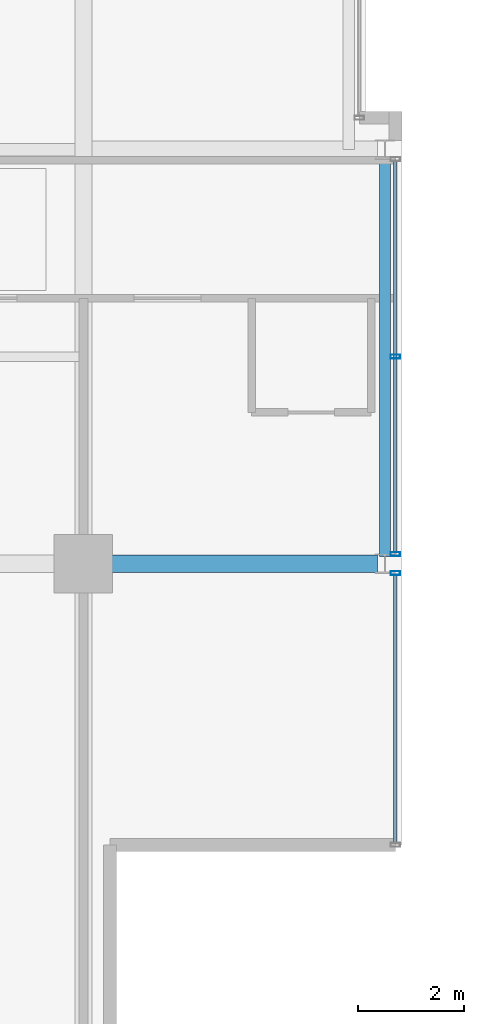
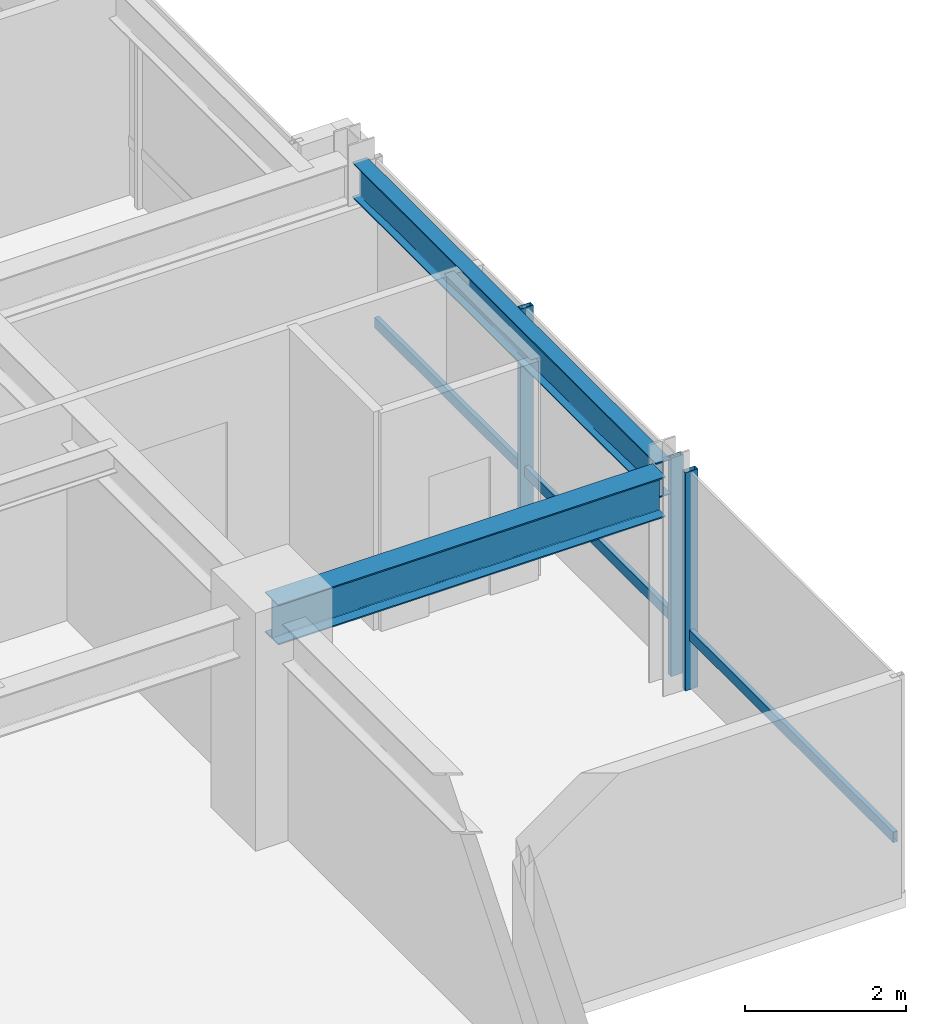
# One storey, part 15 of 34: 5 members, 2 beams, 2 elements without a shape of their own.
"""IFC4 building model written with IfcOpenShell, lengths in metres."""

from ifc_helpers import new_model, si_unit, direction, frame, origin, origin_2d, place, context, subcontext, project, spatial, hollow_rectangle, i_section, extrude, material, layer, layer_set, material_profile, profile_set, type_object, element, aggregate, save


model = new_model("IFC4")

# Units and contexts
model_context = context("Model", 3, precision=1e-05, world=origin(), true_north=direction((0.0, 1.0)))
body_context = subcontext(model_context, "Body", "Model", "MODEL_VIEW")
ifc_project = project(units=[si_unit("LENGTHUNIT", "METRE"), si_unit("AREAUNIT", "SQUARE_METRE"), si_unit("VOLUMEUNIT", "CUBIC_METRE"), si_unit("PLANEANGLEUNIT", "RADIAN"), si_unit("MASSUNIT", "GRAM", prefix="KILO")], contexts=[model_context])

# Site, building, storey
site_placement = place(None, origin())
site = spatial("IfcSite", under=ifc_project, at=site_placement, CompositionType="ELEMENT")
building_placement = place(site_placement, origin())
building = spatial("IfcBuilding", under=site, at=building_placement, Name="Drelvath Grand Hotel", CompositionType="ELEMENT")
storey_placement = place(building_placement, frame((0.0, 0.0, 251.89990234375)))
storey = spatial("IfcBuildingStorey", under=building, at=storey_placement, Name="L66", CompositionType="ELEMENT", Elevation=251.89990234375)

# Curtain wall, member
ifc_material_1 = material(Name="Platinum-Mist Anodised Aluminium Frame", Category="aluminium")
ifc_layer = layer(ifc_material_1, 0.199951171875)
ifc_layer_set = layer_set([ifc_layer], Name="Platinum-Mist Anodised Aluminium Frame")
curtain_wall_type = type_object("IfcCurtainWallType", Name="Stick Curtain Wall CW-05 Platinum Mist High-Rise", PredefinedType="NOTDEFINED", material=ifc_layer_set)
curtain_wall_1_placement = place(storey_placement, origin())
curtain_wall_1 = element("IfcCurtainWall", 1, at=curtain_wall_1_placement, inside=storey, type_object=curtain_wall_type, Name="L66 CW-05 Curtain Wall CW05-L66-ES1", PredefinedType="NOTDEFINED")
ifc_material_profile_1 = material_profile(ifc_material_1, hollow_rectangle(XDim=0.06494140625, YDim=0.159912109375, WallThickness=0.00390625, at=origin_2d()), Name="HSS160X65X4")
ifc_profile_set_1 = profile_set([ifc_material_profile_1], Name="Platinum-Mist Anodised Aluminium Frame")
member_type_1 = type_object("IfcMemberType", Name="Curtain Wall Horizontal Transom CW-05 HSS160X65X4", PredefinedType="USERDEFINED", material=ifc_profile_set_1)
member_1_placement = place(storey_placement, frame((22.080078125, 10.581787109375, 0.8251953125), z_axis=(0.0, -1.0, 0.0), x_axis=(1.0, 0.0, 0.0)))
member_1 = element("IfcMember", 2, at=member_1_placement, type_object=member_type_1, Name="CW05-L66-ES1 Sill Transom", ObjectType="TRANSOM", PredefinedType="USERDEFINED", context=body_context, shape_type="SweptSolid", body=[
    extrude(hollow_rectangle(XDim=0.06494140625, YDim=0.159912109375, WallThickness=0.00390625, at=origin_2d()), origin(), (0.0, 0.0, 1.0), 5.041748046875),
])

curtain_wall_2_placement = place(storey_placement, origin())
curtain_wall_2 = element("IfcCurtainWall", 3, at=curtain_wall_2_placement, inside=storey, type_object=curtain_wall_type, Name="L66 CW-05 Curtain Wall CW05-L66-ES2", PredefinedType="NOTDEFINED")
member_2_placement = place(storey_placement, frame((22.080078125, 18.3818359375, 0.8251953125), z_axis=(0.0, -1.0, 0.0), x_axis=(1.0, 0.0, 0.0)))
member_2 = element("IfcMember", 4, at=member_2_placement, type_object=member_type_1, Name="CW05-L66-ES2 Sill Transom", ObjectType="TRANSOM", PredefinedType="USERDEFINED", context=body_context, shape_type="SweptSolid", body=[
    extrude(hollow_rectangle(XDim=0.06494140625, YDim=0.159912109375, WallThickness=0.00390625, at=origin_2d()), origin(), (0.0, 0.0, 1.0), 7.363525390625),
])

# Member
ifc_material_profile_2 = material_profile(ifc_material_1, hollow_rectangle(XDim=0.074951171875, YDim=0.179931640625, WallThickness=0.0048828125, at=origin_2d()), Name="HSS180X75X5")
ifc_profile_set_2 = profile_set([ifc_material_profile_2], Name="Platinum-Mist Anodised Aluminium Frame")
member_type_2 = type_object("IfcMemberType", Name="Curtain Wall Vertical Mullion CW-05 HSS180X75X5", PredefinedType="MULLION", material=ifc_profile_set_2)
member_3_placement = place(storey_placement, frame((22.080078125, 10.621826171875, 0.0), z_axis=(0.0, 0.0, 1.0), x_axis=(0.0, 1.0, 0.0)))
member_3 = element("IfcMember", 5, at=member_3_placement, type_object=member_type_2, Name="CW05-L66-ES1 Mullion 1", PredefinedType="MULLION", context=body_context, shape_type="SweptSolid", body=[
    extrude(hollow_rectangle(XDim=0.074951171875, YDim=0.179931640625, WallThickness=0.0048828125, at=origin_2d()), origin(), (0.0, 0.0, 1.0), 3.300048828125),
])

aggregate(curtain_wall_1, [member_3, member_1])

member_4_placement = place(storey_placement, frame((22.080078125, 14.699951171875, 0.0), z_axis=(0.0, 0.0, 1.0), x_axis=(0.0, 1.0, 0.0)))
member_4 = element("IfcMember", 6, at=member_4_placement, type_object=member_type_2, Name="CW05-L66-ES2 Mullion 2", PredefinedType="MULLION", context=body_context, shape_type="SweptSolid", body=[
    extrude(hollow_rectangle(XDim=0.074951171875, YDim=0.179931640625, WallThickness=0.0048828125, at=origin_2d()), origin(), (0.0, 0.0, 1.0), 3.300048828125),
])

member_5_placement = place(storey_placement, frame((22.080078125, 10.978271484375, 0.0), z_axis=(0.0, 0.0, 1.0), x_axis=(0.0, 1.0, 0.0)))
member_5 = element("IfcMember", 7, at=member_5_placement, type_object=member_type_2, Name="CW05-L66-ES2 Mullion 3", PredefinedType="MULLION", context=body_context, shape_type="SweptSolid", body=[
    extrude(hollow_rectangle(XDim=0.074951171875, YDim=0.179931640625, WallThickness=0.0048828125, at=origin_2d()), origin(), (0.0, 0.0, 1.0), 3.300048828125),
])

aggregate(curtain_wall_2, [member_4, member_5, member_2])

# Beams
ifc_material_2 = material(Name="Steel ASTM A992 Gr 50", Category="steel")
ifc_material_profile_3 = material_profile(ifc_material_2, i_section(OverallWidth=0.210205078125, OverallDepth=0.53662109375, WebThickness=0.010986328125, FlangeThickness=0.017333984375, FilletRadius=0.01806640625, at=origin_2d()), Name="W21X68")
ifc_profile_set_3 = profile_set([ifc_material_profile_3], Name="Steel ASTM A992 Gr 50")
beam_type_1 = type_object("IfcBeamType", Name="Perimeter Spandrel Beam W21X68", PredefinedType="SPANDREL", material=ifc_profile_set_3)
beam_1_placement = place(storey_placement, frame((21.8798828125, 10.93994140625, 3.03173828125), z_axis=(0.0, 1.0, 0.0), x_axis=(-1.0, 0.0, 0.0)))
element("IfcBeam", 8, at=beam_1_placement, inside=storey, type_object=beam_type_1, Name="L66 Spandrel East S", PredefinedType="SPANDREL", context=body_context, shape_type="SweptSolid", body=[
    extrude(i_section(OverallWidth=0.210205078125, OverallDepth=0.53662109375, WebThickness=0.010986328125, FlangeThickness=0.017333984375, FilletRadius=0.01806640625, at=origin_2d()), origin(), (0.0, 0.0, 1.0), 7.52001953125),
])
ifc_material_profile_4 = material_profile(ifc_material_2, i_section(OverallWidth=0.323974609375, OverallDepth=0.611083984375, WebThickness=0.0126953125, FlangeThickness=0.01904296875, FilletRadius=0.02197265625, at=origin_2d()), Name="W24X104")
ifc_profile_set_4 = profile_set([ifc_material_profile_4], Name="Steel ASTM A992 Gr 50")
beam_type_2 = type_object("IfcBeamType", Name="Primary Floor Girder W24X104", PredefinedType="BEAM", material=ifc_profile_set_4)
beam_2_placement = place(storey_placement, frame((16.199951171875, 10.800048828125, 2.994384765625), z_axis=(1.0, 0.0, 0.0), x_axis=(0.0, 1.0, 0.0)))
element("IfcBeam", 9, at=beam_2_placement, inside=storey, type_object=beam_type_2, Name="L66 East Grid Girder C", PredefinedType="BEAM", context=body_context, shape_type="SweptSolid", body=[
    extrude(i_section(OverallWidth=0.323974609375, OverallDepth=0.611083984375, WebThickness=0.0126953125, FlangeThickness=0.01904296875, FilletRadius=0.02197265625, at=origin_2d()), origin(), (0.0, 0.0, 1.0), 5.5400390625),
])

save(model, "model.ifc")
